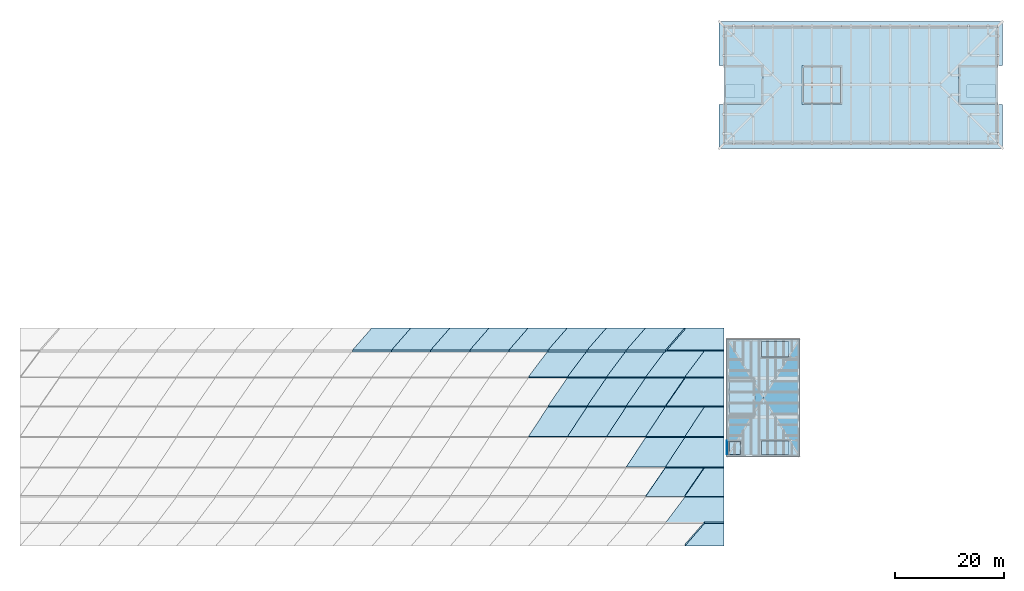
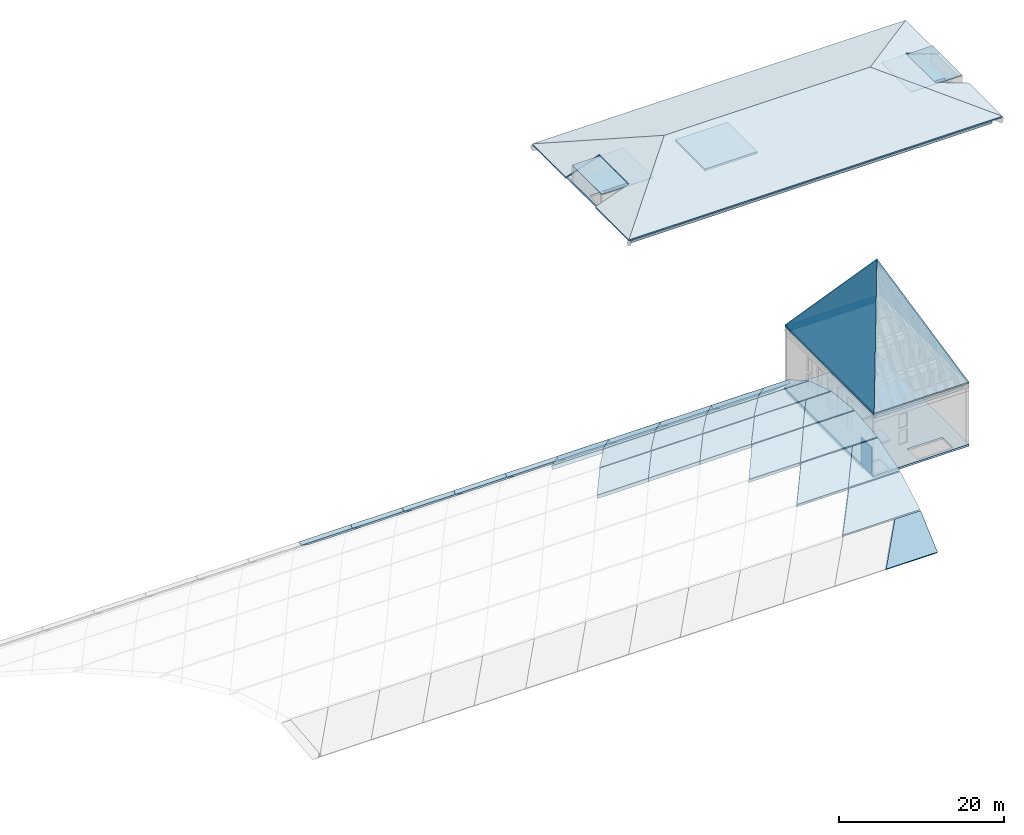
# One storey, part 4 of 8: 45 slabs, 1 wall.
"""IFC4 building model written with IfcOpenShell, lengths in metres."""

from ifc_helpers import new_model, si_unit, direction, frame, frame_2d, origin, place, context, subcontext, project, spatial, polyline, rectangle, outline, extrude, material, layer, layer_set, type_object, element, save


model = new_model("IFC4")

# Units and contexts
model_context = context("Model", 3, precision=1e-05, world=origin(), true_north=direction((0.0, 1.0)))
body_context = subcontext(model_context, "Body", "Model", "MODEL_VIEW")
ifc_project = project(units=[si_unit("LENGTHUNIT", "METRE"), si_unit("AREAUNIT", "SQUARE_METRE"), si_unit("VOLUMEUNIT", "CUBIC_METRE"), si_unit("PLANEANGLEUNIT", "RADIAN"), si_unit("MASSUNIT", "GRAM", prefix="KILO")], contexts=[model_context])

# Site, building, storey
site_placement = place(None, origin())
site = spatial("IfcSite", under=ifc_project, at=site_placement, CompositionType="ELEMENT")
building_placement = place(site_placement, origin())
building = spatial("IfcBuilding", under=site, at=building_placement, Name="Vermilion Court Aquatics Centre", CompositionType="ELEMENT")
storey_placement = place(building_placement, frame((0.0, 0.0, 23.300048828125)))
storey = spatial("IfcBuildingStorey", under=building, at=storey_placement, Name="ROOF", CompositionType="ELEMENT", Elevation=23.300048828125)

# Slabs
ifc_material_1 = material(Name="Terracotta cladding", Category="masonry")
ifc_layer_1 = layer(ifc_material_1, 0.1201171875)
ifc_layer_set_1 = layer_set([ifc_layer_1], Name="Diving Tower crown roof plate 120")
slab_type_1 = type_object("IfcSlabType", Name="Diving Tower crown roof plate 120", PredefinedType="ROOF", material=ifc_layer_set_1)
slab_1_placement = place(storey_placement, frame((144.64990234375, 36.0, 9.201904296875), z_axis=(0.0, -0.791739703688, 0.610858610158), x_axis=(1.0, 0.0, 0.0)))
element("IfcSlab", 1, at=slab_1_placement, inside=storey, type_object=slab_type_1, Name="Diving Tower crown roof plate 1", PredefinedType="ROOF", context=body_context, shape_type="SweptSolid", body=[
    extrude(outline(polyline([(0.0, 0.0), (13.25, 0.0), (6.625, 17.6801123018091), (0.0, 0.0)])), origin(), (0.0, -0.791739703688, -0.610858610158), 0.1962890625),
])
slab_2_placement = place(storey_placement, frame((157.89990234375, 36.0, 9.201904296875), z_axis=(0.903879029096, 0.0, 0.427788149392), x_axis=(0.0, 1.0, 0.0)))
element("IfcSlab", 2, at=slab_2_placement, inside=storey, type_object=slab_type_1, Name="Diving Tower crown roof plate 2", PredefinedType="ROOF", context=body_context, shape_type="SweptSolid", body=[
    extrude(outline(polyline([(0.0, 0.0), (21.60009765625, 0.0), (10.800048828125, 15.486637508339157), (0.0, 0.0)])), origin(), (0.0, -0.903879029096, -0.427788149392), 0.280517578125),
])
slab_3_placement = place(storey_placement, frame((157.89990234375, 57.60009765625, 9.201904296875), z_axis=(0.0, 0.791739703688, 0.610858610158), x_axis=(-1.0, 0.0, 0.0)))
element("IfcSlab", 3, at=slab_3_placement, inside=storey, type_object=slab_type_1, Name="Diving Tower crown roof plate 3", PredefinedType="ROOF", context=body_context, shape_type="SweptSolid", body=[
    extrude(outline(polyline([(0.0, 0.0), (13.25, 0.0), (6.625, 17.6801123018091), (0.0, 0.0)])), origin(), (0.0, -0.791739703688, -0.610858610158), 0.1962890625),
])
slab_4_placement = place(storey_placement, frame((144.64990234375, 57.60009765625, 9.201904296875), z_axis=(-0.903879029096, 0.0, 0.427788149392), x_axis=(0.0, -1.0, 0.0)))
element("IfcSlab", 4, at=slab_4_placement, inside=storey, type_object=slab_type_1, Name="Diving Tower crown roof plate 4", PredefinedType="ROOF", context=body_context, shape_type="SweptSolid", body=[
    extrude(outline(polyline([(0.0, 0.0), (21.60009765625, 0.0), (10.800048828125, 15.486637508339157), (0.0, 0.0)])), origin(), (0.0, -0.903879029096, -0.427788149392), 0.280517578125),
])
ifc_material_2 = material(Name="Concrete 8000 psi", Category="concrete")
ifc_layer_2 = layer(ifc_material_2, 0.300048828125)
ifc_layer_set_2 = layer_set([ifc_layer_2], Name="Diving Tower plant ceiling slab 300")
slab_type_2 = type_object("IfcSlabType", Name="Diving Tower plant ceiling slab 300", PredefinedType="FLOOR", material=ifc_layer_set_2)
slab_5_placement = place(storey_placement, frame((0.0, 0.0, 3.89990234375)))
element("IfcSlab", 5, at=slab_5_placement, inside=storey, type_object=slab_type_2, Name="Diving Tower lift overrun cap", PredefinedType="FLOOR", context=body_context, shape_type="SweptSolid", body=[
    extrude(outline(polyline([(145.050048828125, 36.39990234375), (147.199951171875, 36.39990234375), (147.199951171875, 38.875), (145.050048828125, 38.875), (145.050048828125, 36.39990234375)])), origin(), (0.0, 0.0, 1.0), 0.300048828125),
])
slab_6_placement = place(storey_placement, frame((0.0, 0.0, 8.099853515625)))
element("IfcSlab", 6, at=slab_6_placement, inside=storey, type_object=slab_type_2, Name="Diving Tower plant ceiling slab", PredefinedType="FLOOR", context=body_context, shape_type="SweptSolid", body=[
    extrude(outline(polyline([(145.050048828125, 36.39990234375), (157.5, 36.39990234375), (157.5, 57.199951171875), (145.050048828125, 57.199951171875), (145.050048828125, 36.39990234375)])), origin(), (0.0, 0.0, 1.0), 0.300048828125),
])
slab_7_placement = place(storey_placement, frame((0.0, 0.0, 2.89990234375)))
element("IfcSlab", 7, at=slab_7_placement, inside=storey, type_object=slab_type_2, Name="Diving Tower control room roof slab", PredefinedType="FLOOR", context=body_context, shape_type="SweptSolid", body=[
    extrude(outline(polyline([(145.050048828125, 43.125), (149.675048828125, 43.125), (149.675048828125, 50.47509765625), (145.050048828125, 50.47509765625), (145.050048828125, 43.125)])), origin(), (0.0, 0.0, 1.0), 0.300048828125),
])
ifc_material_3 = material(Name="Concrete 8000 psi", Category="concrete")
ifc_layer_3 = layer(ifc_material_3, 0.300048828125)
ifc_layer_set_3 = layer_set([ifc_layer_3], Name="Diving Tower plant floor slab 300")
slab_type_3 = type_object("IfcSlabType", Name="Diving Tower plant floor slab 300", PredefinedType="FLOOR", material=ifc_layer_set_3)
slab_8_placement = place(storey_placement, frame((0.0, 0.0, -0.300048828125)))
element("IfcSlab", 8, at=slab_8_placement, inside=storey, type_object=slab_type_3, Name="Diving Tower plant floor slab", PredefinedType="FLOOR", context=body_context, shape_type="SweptSolid", body=[
    extrude(outline(polyline([(144.5, 36.0), (157.89990234375, 36.0), (157.89990234375, 57.60009765625), (144.5, 57.60009765625), (144.5, 36.0)]), holes=[polyline([(144.64990234375, 36.39990234375), (147.050048828125, 36.39990234375), (147.050048828125, 38.72509765625), (144.64990234375, 38.72509765625), (144.64990234375, 36.39990234375)]), polyline([(150.949951171875, 36.39990234375), (155.85009765625, 36.39990234375), (155.85009765625, 38.875), (150.949951171875, 38.875), (150.949951171875, 36.39990234375)]), polyline([(150.949951171875, 54.27490234375), (155.85009765625, 54.27490234375), (155.85009765625, 57.199951171875), (150.949951171875, 57.199951171875), (150.949951171875, 54.27490234375)])]), origin(), (0.0, 0.0, 1.0), 0.300048828125),
])
ifc_material_4 = material(Name="Concrete 5000 psi", Category="concrete")
ifc_layer_4 = layer(ifc_material_4, 0.300048828125)
ifc_layer_set_4 = layer_set([ifc_layer_4], Name="North block flat plate 300")
slab_type_4 = type_object("IfcSlabType", Name="North block flat plate 300", PredefinedType="FLOOR", material=ifc_layer_set_4)
slab_9_placement = place(storey_placement, frame((0.0, 0.0, -0.300048828125)))
element("IfcSlab", 9, at=slab_9_placement, inside=storey, type_object=slab_type_4, Name="Loft floor slab", PredefinedType="FLOOR", context=body_context, shape_type="SweptSolid", body=[
    extrude(outline(polyline([(144.0, 93.60009765625), (194.39990234375, 93.60009765625), (194.39990234375, 115.199951171875), (144.0, 115.199951171875), (144.0, 93.60009765625)]), holes=[polyline([(158.699951171875, 101.10009765625), (165.449951171875, 101.10009765625), (165.449951171875, 107.699951171875), (158.699951171875, 107.699951171875), (158.699951171875, 101.10009765625)]), polyline([(144.39990234375, 102.1298828125), (149.64990234375, 102.1298828125), (149.64990234375, 104.429931640625), (144.39990234375, 104.429931640625), (144.39990234375, 102.1298828125)]), polyline([(188.75, 102.1298828125), (194.0, 102.1298828125), (194.0, 104.429931640625), (188.75, 104.429931640625), (188.75, 102.1298828125)])]), origin(), (0.0, 0.0, 1.0), 0.300048828125),
])
slab_10_placement = place(storey_placement, frame((0.0, 0.0, 0.89990234375)))
element("IfcSlab", 10, at=slab_10_placement, inside=storey, type_object=slab_type_4, Name="Lift overrun cap", PredefinedType="FLOOR", context=body_context, shape_type="SweptSolid", body=[
    extrude(outline(polyline([(158.39990234375, 100.800048828125), (165.75, 100.800048828125), (165.75, 108.0), (158.39990234375, 108.0), (158.39990234375, 100.800048828125)])), origin(), (0.0, 0.0, 1.0), 0.300048828125),
])
ifc_material_5 = material(Name="Terracotta cladding", Category="masonry")
ifc_layer_5 = layer(ifc_material_5, 0.10009765625)
ifc_layer_set_5 = layer_set([ifc_layer_5], Name="North block stair turret cap slab 100")
slab_type_5 = type_object("IfcSlabType", Name="North block stair turret cap slab 100", PredefinedType="FLOOR", material=ifc_layer_set_5)
slab_11_placement = place(storey_placement, frame((0.0, 0.0, 2.39990234375)))
element("IfcSlab", 11, at=slab_11_placement, inside=storey, type_object=slab_type_5, Name="Stair 1 head-house terracotta cap slab", PredefinedType="FLOOR", context=body_context, shape_type="SweptSolid", body=[
    extrude(outline(polyline([(144.0, 100.800048828125), (151.199951171875, 100.800048828125), (151.199951171875, 108.0), (144.0, 108.0), (144.0, 100.800048828125)])), origin(), (0.0, 0.0, 1.0), 0.10009765625),
])
slab_12_placement = place(storey_placement, frame((0.0, 0.0, 2.39990234375)))
element("IfcSlab", 12, at=slab_12_placement, inside=storey, type_object=slab_type_5, Name="Stair 2 head-house terracotta cap slab", PredefinedType="FLOOR", context=body_context, shape_type="SweptSolid", body=[
    extrude(outline(polyline([(187.199951171875, 100.800048828125), (194.39990234375, 100.800048828125), (194.39990234375, 108.0), (187.199951171875, 108.0), (187.199951171875, 100.800048828125)])), origin(), (0.0, 0.0, 1.0), 0.10009765625),
])
ifc_material_6 = material(Name="Zinc standing seam sheet", Category="metal")
ifc_layer_6 = layer(ifc_material_6, 0.5)
ifc_layer_set_6 = layer_set([ifc_layer_6], Name="Roof insulated cover panel")
slab_type_6 = type_object("IfcSlabType", Name="Roof insulated cover panel", PredefinedType="ROOF", material=ifc_layer_set_6)
slab_13_placement = place(storey_placement, frame((136.800048828125, 19.50439453125, -1.0869140625), z_axis=(0.0, -0.66200348449, 0.749500758187), x_axis=(1.0, 0.0, 0.0)))
element("IfcSlab", 13, at=slab_13_placement, inside=storey, type_object=slab_type_6, Name="Roof panel RP-02-18", PredefinedType="ROOF", context=body_context, shape_type="SweptSolid", body=[
    extrude(outline(polyline([(0.0, 0.0), (7.199951171875, 0.0), (7.199951171875, 5.496823054377794), (3.599853515625, 5.496823054377794), (0.0, 0.0)])), origin(), (0.0, 0.0, -1.0), 0.5),
])
slab_14_placement = place(storey_placement, frame((133.199951171875, 23.750244140625, 2.641845703125), z_axis=(0.0, -0.494047556018, 0.869434881054), x_axis=(1.0, 0.0, 0.0)))
element("IfcSlab", 14, at=slab_14_placement, inside=storey, type_object=slab_type_6, Name="Roof panel RP-03-17", PredefinedType="ROOF", context=body_context, shape_type="SweptSolid", body=[
    extrude(outline(polyline([(0.0, 0.0), (7.199951171875, 0.0), (10.800048828125, 0.0), (10.800048828125, 5.4975769438396265), (3.60009765625, 5.4975769438396265), (0.0, 0.0)])), origin(), (0.0, 0.0, -1.0), 0.5),
])
slab_15_placement = place(storey_placement, frame((129.60009765625, 28.671630859375, 5.419921875), z_axis=(0.0, -0.305016066417, 0.952347205187), x_axis=(1.0, 0.0, 0.0)))
element("IfcSlab", 15, at=slab_15_placement, inside=storey, type_object=slab_type_6, Name="Roof panel RP-04-17", PredefinedType="ROOF", context=body_context, shape_type="SweptSolid", body=[
    extrude(outline(polyline([(0.0, 0.0), (7.199951171875, 0.0), (10.7998046875, 5.49167408720778), (3.599853515625, 5.49167408720778), (0.0, 0.0)])), origin(), (0.0, 0.0, -1.0), 0.5),
])
slab_16_placement = place(storey_placement, frame((136.800048828125, 28.671630859375, 5.419921875), z_axis=(0.0, -0.305016066417, 0.952347205187), x_axis=(1.0, 0.0, 0.0)))
element("IfcSlab", 16, at=slab_16_placement, inside=storey, type_object=slab_type_6, Name="Roof panel RP-04-18", PredefinedType="ROOF", context=body_context, shape_type="SweptSolid", body=[
    extrude(outline(polyline([(0.0, 0.0), (7.199951171875, 0.0), (7.199951171875, 5.49167408720778), (3.599853515625, 5.49167408720778), (0.0, 0.0)])), origin(), (0.0, 0.0, -1.0), 0.5),
])
slab_17_placement = place(storey_placement, frame((126.0, 34.052734375, 7.126708984375), z_axis=(0.0, -0.103261140612, 0.994654280059), x_axis=(1.0, 0.0, 0.0)))
element("IfcSlab", 17, at=slab_17_placement, inside=storey, type_object=slab_type_6, Name="Roof panel RP-05-16", PredefinedType="ROOF", context=body_context, shape_type="SweptSolid", body=[
    extrude(outline(polyline([(0.0, 0.0), (7.199951171875, 0.0), (10.800048828125, 5.499368788521336), (3.60009765625, 5.499368788521336), (0.0, 0.0)])), origin(), (0.0, 0.0, -1.0), 0.5),
])
slab_18_placement = place(storey_placement, frame((133.199951171875, 34.052734375, 7.126708984375), z_axis=(0.0, -0.103261140612, 0.994654280059), x_axis=(1.0, 0.0, 0.0)))
element("IfcSlab", 18, at=slab_18_placement, inside=storey, type_object=slab_type_6, Name="Roof panel RP-05-17", PredefinedType="ROOF", context=body_context, shape_type="SweptSolid", body=[
    extrude(outline(polyline([(0.0, 0.0), (7.199951171875, 0.0), (10.800048828125, 0.0), (10.800048828125, 5.499368788521336), (3.60009765625, 5.499368788521336), (0.0, 0.0)])), origin(), (0.0, 0.0, -1.0), 0.5),
])
for number, where, z_axis, x_axis, name in (
    (19, (108.0, 39.67724609375, 7.694580078125), (0.0, 0.103261140612, 0.994654280059), (1.0, 0.0, 0.0), "Roof panel RP-06-14"),
    (20, (115.199951171875, 39.67724609375, 7.694580078125), (0.0, 0.103261140612, 0.994654280059), (1.0, 0.0, 0.0), "Roof panel RP-06-15"),
):
    element("IfcSlab", number, at=place(storey_placement, frame(where, z_axis=z_axis, x_axis=x_axis)), inside=storey, type_object=slab_type_6, Name=name, PredefinedType="ROOF", context=body_context, shape_type="SweptSolid", body=[
        extrude(outline(polyline([(0.0, 0.0), (7.199951171875, 0.0), (10.800048828125, 5.499368788521336), (3.60009765625, 5.499368788521336), (0.0, 0.0)])), origin(), (0.0, 0.0, -1.0), 0.5),
    ])
slab_19_placement = place(storey_placement, frame((122.39990234375, 39.67724609375, 7.694580078125), z_axis=(0.0, 0.103261140612, 0.994654280059), x_axis=(1.0, 0.0, 0.0)))
element("IfcSlab", 21, at=slab_19_placement, inside=storey, type_object=slab_type_6, Name="Roof panel RP-06-16", PredefinedType="ROOF", context=body_context, shape_type="SweptSolid", body=[
    extrude(outline(polyline([(0.0, 0.0), (7.2001953125, 0.0), (10.800048828125, 5.499368788521336), (3.60009765625, 5.499368788521336), (0.0, 0.0)])), origin(), (0.0, 0.0, -1.0), 0.5),
])
slab_20_placement = place(storey_placement, frame((129.60009765625, 39.67724609375, 7.694580078125), z_axis=(0.0, 0.103261140612, 0.994654280059), x_axis=(1.0, 0.0, 0.0)))
element("IfcSlab", 22, at=slab_20_placement, inside=storey, type_object=slab_type_6, Name="Roof panel RP-06-17", PredefinedType="ROOF", context=body_context, shape_type="SweptSolid", body=[
    extrude(outline(polyline([(0.0, 0.0), (7.199951171875, 0.0), (10.7998046875, 5.499368788521336), (3.599853515625, 5.499368788521336), (0.0, 0.0)])), origin(), (0.0, 0.0, -1.0), 0.5),
])
slab_21_placement = place(storey_placement, frame((136.800048828125, 39.67724609375, 7.694580078125), z_axis=(0.0, 0.103261140612, 0.994654280059), x_axis=(1.0, 0.0, 0.0)))
element("IfcSlab", 23, at=slab_21_placement, inside=storey, type_object=slab_type_6, Name="Roof panel RP-06-18", PredefinedType="ROOF", context=body_context, shape_type="SweptSolid", body=[
    extrude(outline(polyline([(0.0, 0.0), (7.199951171875, 0.0), (7.199951171875, 5.499368788521336), (3.599853515625, 5.499368788521336), (0.0, 0.0)])), origin(), (0.0, 0.0, -1.0), 0.5),
])
slab_22_placement = place(storey_placement, frame((111.60009765625, 45.29833984375, 7.094970703125), z_axis=(0.0, 0.305016066417, 0.952347205187), x_axis=(1.0, 0.0, 0.0)))
element("IfcSlab", 24, at=slab_22_placement, inside=storey, type_object=slab_type_6, Name="Roof panel RP-07-14", PredefinedType="ROOF", context=body_context, shape_type="SweptSolid", body=[
    extrude(outline(polyline([(0.0, 0.0), (7.199951171875, 0.0), (10.7998046875, 5.49167408720778), (3.599853515625, 5.49167408720778), (0.0, 0.0)])), origin(), (0.0, 0.0, -1.0), 0.5),
])
slab_23_placement = place(storey_placement, frame((118.800048828125, 45.29833984375, 7.094970703125), z_axis=(0.0, 0.305016066417, 0.952347205187), x_axis=(1.0, 0.0, 0.0)))
element("IfcSlab", 25, at=slab_23_placement, inside=storey, type_object=slab_type_6, Name="Roof panel RP-07-15", PredefinedType="ROOF", context=body_context, shape_type="SweptSolid", body=[
    extrude(outline(polyline([(0.0, 0.0), (7.199951171875, 0.0), (10.800048828125, 5.491674087207781), (3.599853515625, 5.491674087207781), (0.0, 0.0)])), origin(), (0.0, 0.0, -1.0), 0.5),
])
slab_24_placement = place(storey_placement, frame((126.0, 45.29833984375, 7.094970703125), z_axis=(0.0, 0.305016066417, 0.952347205187), x_axis=(1.0, 0.0, 0.0)))
element("IfcSlab", 26, at=slab_24_placement, inside=storey, type_object=slab_type_6, Name="Roof panel RP-07-16", PredefinedType="ROOF", context=body_context, shape_type="SweptSolid", body=[
    extrude(outline(polyline([(0.0, 0.0), (7.199951171875, 0.0), (10.800048828125, 5.49167408720778), (3.60009765625, 5.49167408720778), (0.0, 0.0)])), origin(), (0.0, 0.0, -1.0), 0.5),
])
slab_25_placement = place(storey_placement, frame((133.199951171875, 45.29833984375, 7.094970703125), z_axis=(0.0, 0.305016066417, 0.952347205187), x_axis=(1.0, 0.0, 0.0)))
element("IfcSlab", 27, at=slab_25_placement, inside=storey, type_object=slab_type_6, Name="Roof panel RP-07-17", PredefinedType="ROOF", context=body_context, shape_type="SweptSolid", body=[
    extrude(outline(polyline([(0.0, 0.0), (7.199951171875, 0.0), (10.800048828125, 0.0), (10.800048828125, 5.49167408720778), (3.60009765625, 5.49167408720778), (0.0, 0.0)])), origin(), (0.0, 0.0, -1.0), 0.5),
])
for number, where, z_axis, x_axis, name in (
    (28, (108.0, 50.669921875, 5.35791015625), (0.0, 0.494028481196, 0.869445719851), (1.0, 0.0, 0.0), "Roof panel RP-08-14"),
    (29, (115.199951171875, 50.669921875, 5.35791015625), (0.0, 0.494028481196, 0.869445719851), (1.0, 0.0, 0.0), "Roof panel RP-08-15"),
):
    element("IfcSlab", number, at=place(storey_placement, frame(where, z_axis=z_axis, x_axis=x_axis)), inside=storey, type_object=slab_type_6, Name=name, PredefinedType="ROOF", context=body_context, shape_type="SweptSolid", body=[
        extrude(outline(polyline([(0.0, 0.0), (7.199951171875, 0.0), (10.800048828125, 5.497789209538004), (3.60009765625, 5.497789209538004), (0.0, 0.0)])), origin(), (0.0, 0.0, -1.0), 0.5),
    ])
slab_26_placement = place(storey_placement, frame((122.39990234375, 50.669921875, 5.35791015625), z_axis=(0.0, 0.494028481196, 0.869445719851), x_axis=(1.0, 0.0, 0.0)))
element("IfcSlab", 30, at=slab_26_placement, inside=storey, type_object=slab_type_6, Name="Roof panel RP-08-16", PredefinedType="ROOF", context=body_context, shape_type="SweptSolid", body=[
    extrude(outline(polyline([(0.0, 0.0), (7.2001953125, 0.0), (10.800048828125, 5.497789209538004), (3.60009765625, 5.497789209538004), (0.0, 0.0)])), origin(), (0.0, 0.0, -1.0), 0.5),
])
slab_27_placement = place(storey_placement, frame((129.60009765625, 50.669921875, 5.35791015625), z_axis=(0.0, 0.494028481196, 0.869445719851), x_axis=(1.0, 0.0, 0.0)))
element("IfcSlab", 31, at=slab_27_placement, inside=storey, type_object=slab_type_6, Name="Roof panel RP-08-17", PredefinedType="ROOF", context=body_context, shape_type="SweptSolid", body=[
    extrude(outline(polyline([(0.0, 0.0), (7.199951171875, 0.0), (10.7998046875, 5.497789209538004), (3.599853515625, 5.497789209538004), (0.0, 0.0)])), origin(), (0.0, 0.0, -1.0), 0.5),
])
slab_28_placement = place(storey_placement, frame((136.800048828125, 50.669921875, 5.35791015625), z_axis=(0.0, 0.494028481196, 0.869445719851), x_axis=(1.0, 0.0, 0.0)))
element("IfcSlab", 32, at=slab_28_placement, inside=storey, type_object=slab_type_6, Name="Roof panel RP-08-18", PredefinedType="ROOF", context=body_context, shape_type="SweptSolid", body=[
    extrude(outline(polyline([(0.0, 0.0), (7.199951171875, 0.0), (7.199951171875, 5.497789209538004), (3.599853515625, 5.497789209538004), (0.0, 0.0)])), origin(), (0.0, 0.0, -1.0), 0.5),
])
slab_29_placement = place(storey_placement, frame((75.60009765625, 55.57568359375, 2.552001953125), z_axis=(0.0, 0.66200348449, 0.749500758187), x_axis=(1.0, 0.0, 0.0)))
element("IfcSlab", 33, at=slab_29_placement, inside=storey, type_object=slab_type_6, Name="Roof panel RP-09-09", PredefinedType="ROOF", context=body_context, shape_type="SweptSolid", body=[
    extrude(outline(polyline([(0.0, 0.0), (7.199951171875, 0.0), (10.7998046875, 5.496823054377794), (3.599853515625, 5.496823054377794), (0.0, 0.0)])), origin(), (0.0, 0.0, -1.0), 0.5),
])
slab_30_placement = place(storey_placement, frame((82.800048828125, 55.57568359375, 2.552001953125), z_axis=(0.0, 0.66200348449, 0.749500758187), x_axis=(1.0, 0.0, 0.0)))
element("IfcSlab", 34, at=slab_30_placement, inside=storey, type_object=slab_type_6, Name="Roof panel RP-09-10", PredefinedType="ROOF", context=body_context, shape_type="SweptSolid", body=[
    extrude(outline(polyline([(0.0, 0.0), (7.199951171875, 0.0), (10.800048828125, 5.496823054377795), (3.599853515625, 5.496823054377795), (0.0, 0.0)])), origin(), (0.0, 0.0, -1.0), 0.5),
])
for number, where, z_axis, x_axis, name in (
    (35, (90.0, 55.57568359375, 2.552001953125), (0.0, 0.66200348449, 0.749500758187), (1.0, 0.0, 0.0), "Roof panel RP-09-11"),
    (36, (97.199951171875, 55.57568359375, 2.552001953125), (0.0, 0.66200348449, 0.749500758187), (1.0, 0.0, 0.0), "Roof panel RP-09-12"),
):
    element("IfcSlab", number, at=place(storey_placement, frame(where, z_axis=z_axis, x_axis=x_axis)), inside=storey, type_object=slab_type_6, Name=name, PredefinedType="ROOF", context=body_context, shape_type="SweptSolid", body=[
        extrude(outline(polyline([(0.0, 0.0), (7.199951171875, 0.0), (10.800048828125, 5.496823054377794), (3.60009765625, 5.496823054377794), (0.0, 0.0)])), origin(), (0.0, 0.0, -1.0), 0.5),
    ])
slab_31_placement = place(storey_placement, frame((104.39990234375, 55.57568359375, 2.552001953125), z_axis=(0.0, 0.66200348449, 0.749500758187), x_axis=(1.0, 0.0, 0.0)))
element("IfcSlab", 37, at=slab_31_placement, inside=storey, type_object=slab_type_6, Name="Roof panel RP-09-13", PredefinedType="ROOF", context=body_context, shape_type="SweptSolid", body=[
    extrude(outline(polyline([(0.0, 0.0), (7.2001953125, 0.0), (10.800048828125, 5.496823054377795), (3.60009765625, 5.496823054377795), (0.0, 0.0)])), origin(), (0.0, 0.0, -1.0), 0.5),
])
slab_32_placement = place(storey_placement, frame((111.60009765625, 55.57568359375, 2.552001953125), z_axis=(0.0, 0.66200348449, 0.749500758187), x_axis=(1.0, 0.0, 0.0)))
element("IfcSlab", 38, at=slab_32_placement, inside=storey, type_object=slab_type_6, Name="Roof panel RP-09-14", PredefinedType="ROOF", context=body_context, shape_type="SweptSolid", body=[
    extrude(outline(polyline([(0.0, 0.0), (7.199951171875, 0.0), (10.7998046875, 5.496823054377794), (3.599853515625, 5.496823054377794), (0.0, 0.0)])), origin(), (0.0, 0.0, -1.0), 0.5),
])
slab_33_placement = place(storey_placement, frame((118.800048828125, 55.57568359375, 2.552001953125), z_axis=(0.0, 0.66200348449, 0.749500758187), x_axis=(1.0, 0.0, 0.0)))
element("IfcSlab", 39, at=slab_33_placement, inside=storey, type_object=slab_type_6, Name="Roof panel RP-09-15", PredefinedType="ROOF", context=body_context, shape_type="SweptSolid", body=[
    extrude(outline(polyline([(0.0, 0.0), (7.199951171875, 0.0), (10.800048828125, 5.496823054377795), (3.599853515625, 5.496823054377795), (0.0, 0.0)])), origin(), (0.0, 0.0, -1.0), 0.5),
])
slab_34_placement = place(storey_placement, frame((126.0, 55.57568359375, 2.552001953125), z_axis=(0.0, 0.66200348449, 0.749500758187), x_axis=(1.0, 0.0, 0.0)))
element("IfcSlab", 40, at=slab_34_placement, inside=storey, type_object=slab_type_6, Name="Roof panel RP-09-16", PredefinedType="ROOF", context=body_context, shape_type="SweptSolid", body=[
    extrude(outline(polyline([(0.0, 0.0), (7.199951171875, 0.0), (10.800048828125, 5.496823054377794), (3.60009765625, 5.496823054377794), (0.0, 0.0)])), origin(), (0.0, 0.0, -1.0), 0.5),
])
slab_35_placement = place(storey_placement, frame((133.199951171875, 55.57568359375, 2.552001953125), z_axis=(0.0, 0.66200348449, 0.749500758187), x_axis=(1.0, 0.0, 0.0)))
element("IfcSlab", 41, at=slab_35_placement, inside=storey, type_object=slab_type_6, Name="Roof panel RP-09-17", PredefinedType="ROOF", context=body_context, shape_type="SweptSolid", body=[
    extrude(outline(polyline([(0.0, 0.0), (7.199951171875, 0.0), (10.800048828125, 0.0), (10.800048828125, 5.496823054377794), (3.60009765625, 5.496823054377794), (0.0, 0.0)])), origin(), (0.0, 0.0, -1.0), 0.5),
])
ifc_material_7 = material(Name="Concrete 5000 psi", Category="concrete")
ifc_layer_7 = layer(ifc_material_7, 0.199951171875)
ifc_layer_set_7 = layer_set([ifc_layer_7], Name="Roof north terracotta-clad roof plate 200")
slab_type_7 = type_object("IfcSlabType", Name="Roof north terracotta-clad roof plate 200", PredefinedType="ROOF", material=ifc_layer_set_7)
slab_36_placement = place(storey_placement, frame((143.10009765625, 92.699951171875, 0.989501953125), z_axis=(0.0, -0.342028012157, 0.939689756728), x_axis=(1.0, 0.0, 0.0)))
element("IfcSlab", 42, at=slab_36_placement, inside=storey, type_object=slab_type_7, Name="Roof north roof plate", PredefinedType="ROOF", context=body_context, shape_type="SweptSolid", body=[
    extrude(outline(polyline([(0.0, 0.0), (52.199951171875, 0.0), (40.5, 12.4508659247414), (11.699951171875, 12.4508659247414), (0.0, 0.0)])), origin(), (0.0, -0.342028012157, -0.939689756728), 0.199951171875),
])
slab_37_placement = place(storey_placement, frame((195.300048828125, 116.10009765625, 0.989501953125), z_axis=(0.0, 0.342021710146, 0.939692050509), x_axis=(-1.0, 0.0, 0.0)))
element("IfcSlab", 43, at=slab_37_placement, inside=storey, type_object=slab_type_7, Name="Roof north roof plate", PredefinedType="ROOF", context=body_context, shape_type="SweptSolid", body=[
    extrude(outline(polyline([(0.0, 0.0), (52.199951171875, 0.0), (40.5, 12.45109534146592), (11.699951171875, 12.45109534146592), (0.0, 0.0)])), origin(), (0.0, -0.342021710146, -0.939692050509), 0.199951171875),
])
slab_38_placement = place(storey_placement, frame((143.10009765625, 116.10009765625, 0.989501953125), z_axis=(-0.342027637662, 0.0, 0.939689893037), x_axis=(0.684783368902, -0.684797558809, 0.249246948074)))
element("IfcSlab", 44, at=slab_38_placement, inside=storey, type_object=slab_type_7, Name="Roof north roof plate", PredefinedType="ROOF", context=body_context, shape_type="SweptSolid", body=[
    extrude(outline(polyline([(0.0, 0.0), (17.08562649206955, -9.992007221626409e-16), (16.0243631882845, -17.05246726723615), (10.477436087166017, -11.149655922151162), (14.122269583230738, -7.7245717518396475), (9.191760597183201, -2.4777271747734746), (5.546927101118482, -5.90281134508499), (0.0, 0.0)])), origin(), (-0.249246948074, -0.234219691316, -0.939689893037), 0.199951171875),
])
slab_39_placement = place(storey_placement, frame((195.300048828125, 92.699951171875, 0.989501953125), z_axis=(0.342027637662, 0.0, 0.939689893037), x_axis=(-0.684790069698, 0.684789970364, 0.249249387025)))
element("IfcSlab", 45, at=slab_39_placement, inside=storey, type_object=slab_type_7, Name="Roof north roof plate", PredefinedType="ROOF", context=body_context, shape_type="SweptSolid", body=[
    extrude(outline(polyline([(0.0, 0.0), (17.085459306091867, 2.220446049250313e-16), (16.02418561754982, -17.05263413037755), (10.47731998358039, -11.149765024639589), (14.122189145355971, -7.7247188087045), (9.191734795745012, -2.4778228898028742), (5.546865633969429, -5.902869105737961), (0.0, 0.0)])), origin(), (-0.249249387025, -0.234217095858, -0.939689893037), 0.199951171875),
])

# Wall
ifc_material_8 = material(Name="Concrete 5000 psi", Category="concrete")
ifc_layer_8 = layer(ifc_material_8, 0.14990234375)
ifc_layer_set_8 = layer_set([ifc_layer_8], Name="Diving Tower lift shaft wall 150")
wall_type = type_object("IfcWallType", Name="Diving Tower lift shaft wall 150", PredefinedType="PARTITIONING", material=ifc_layer_set_8)
wall_placement = place(storey_placement, frame((144.574951171875, 36.39990234375, 0.0), z_axis=(0.0, 0.0, 1.0), x_axis=(0.0, 1.0, 0.0)))
element("IfcWall", 46, at=wall_placement, inside=storey, type_object=wall_type, Name="Diving Tower lift overrun wall west", PredefinedType="PARTITIONING", context=body_context, shape_type="SweptSolid", body=[
    extrude(rectangle(XDim=2.47509765625, YDim=0.14990234375, at=frame_2d((1.237548828125, 0.0))), origin(), (0.0, 0.0, 1.0), 3.89990234375),
])

save(model, "model.ifc")
